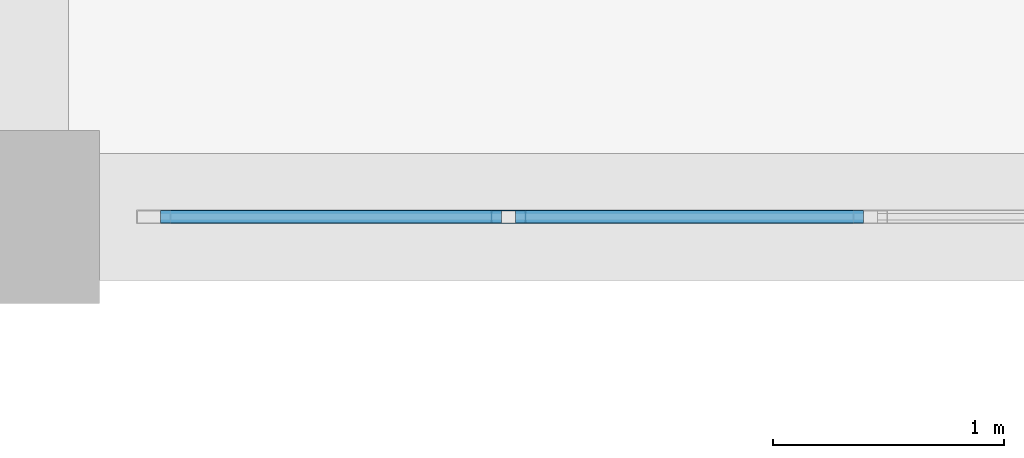
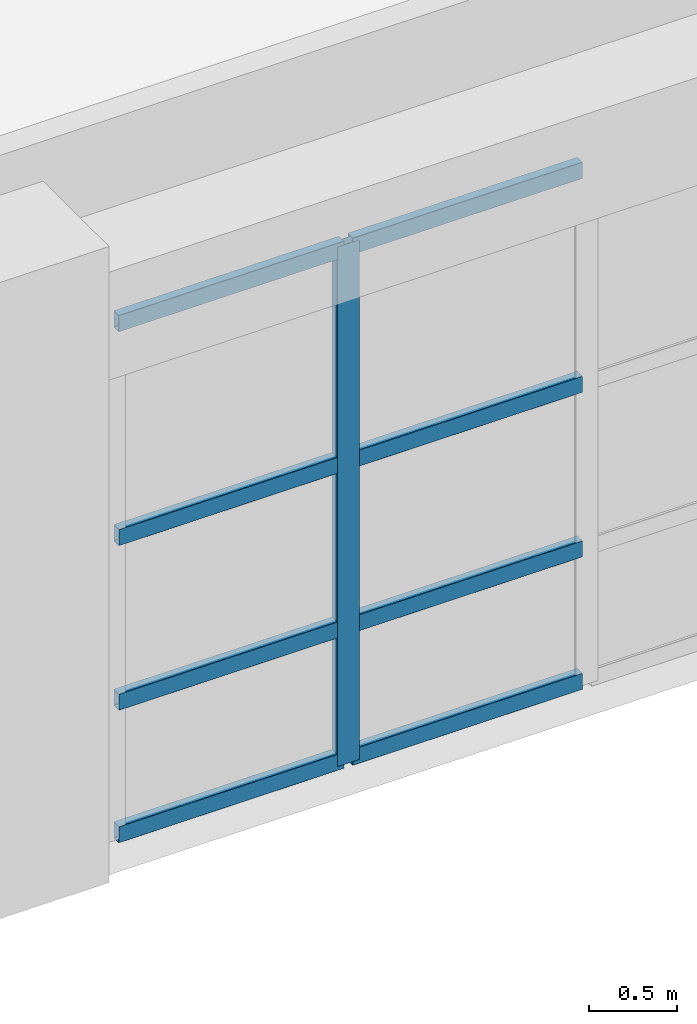
# One storey, part 68 of 133: 9 members, 1 element without a shape of its own.
"""IFC4 building model written with IfcOpenShell, lengths in metres."""

from ifc_helpers import new_model, si_unit, direction, frame, origin, origin_2d, place, context, subcontext, project, spatial, hollow_rectangle, extrude, material, material_profile, profile_set, type_object, element, aggregate, save


model = new_model("IFC4")

# Units and contexts
model_context = context("Model", 3, precision=1e-05, world=origin(), true_north=direction((0.0, 1.0)))
body_context = subcontext(model_context, "Body", "Model", "MODEL_VIEW")
ifc_project = project(units=[si_unit("LENGTHUNIT", "METRE"), si_unit("AREAUNIT", "SQUARE_METRE"), si_unit("VOLUMEUNIT", "CUBIC_METRE"), si_unit("PLANEANGLEUNIT", "RADIAN"), si_unit("MASSUNIT", "GRAM", prefix="KILO")], contexts=[model_context])

# Site, building, storey
site_placement = place(None, origin())
site = spatial("IfcSite", under=ifc_project, at=site_placement, CompositionType="ELEMENT")
building_placement = place(site_placement, origin())
building = spatial("IfcBuilding", under=site, at=building_placement, Name="Miravela Opera House", CompositionType="ELEMENT")
storey_placement = place(building_placement, frame((0.0, 0.0, 5.10009765625)))
storey = spatial("IfcBuildingStorey", under=building, at=storey_placement, Name="L01", CompositionType="ELEMENT", Elevation=5.10009765625)

# Curtain wall, members
ifc_material = material(Name="Anodised architectural bronze aluminium 6063-T6", Category="aluminium")
curtain_wall_type = type_object("IfcCurtainWallType", Name="ARC-CW-05", PredefinedType="NOTDEFINED", material=ifc_material)
curtain_wall_placement = place(storey_placement, origin())
curtain_wall = element("IfcCurtainWall", 1, at=curtain_wall_placement, inside=storey, type_object=curtain_wall_type, Name="Courtyard Arcade Curtain Wall CW-L01-082", PredefinedType="NOTDEFINED")
ifc_material_profile_1 = material_profile(ifc_material, hollow_rectangle(XDim=0.06005859375, YDim=0.14990234375, WallThickness=0.00390625, InnerFilletRadius=0.001953125, OuterFilletRadius=0.00390625, at=origin_2d()), Name="CWM-60X150")
ifc_profile_set_1 = profile_set([ifc_material_profile_1])
member_type_1 = type_object("IfcMemberType", Name="ARC-CWM-150", PredefinedType="MULLION", material=ifc_profile_set_1)
member_1_placement = place(storey_placement, frame((47.14794921875, 103.0, 0.0), z_axis=(0.0, 0.0, 1.0), x_axis=(0.0, 1.0, 0.0)))
member_1 = element("IfcMember", 2, at=member_1_placement, type_object=member_type_1, Name="CW-05 mullion 2", PredefinedType="MULLION", context=body_context, shape_type="SweptSolid", body=[
    extrude(hollow_rectangle(XDim=0.06005859375, YDim=0.14990234375, WallThickness=0.00390625, InnerFilletRadius=0.001953125, OuterFilletRadius=0.00390625, at=origin_2d()), origin(), (0.0, 0.0, 1.0), 3.60986328125),
])
ifc_material_profile_2 = material_profile(ifc_material, hollow_rectangle(XDim=0.06005859375, YDim=0.114990234375, WallThickness=0.00390625, InnerFilletRadius=0.001953125, OuterFilletRadius=0.00390625, at=origin_2d()), Name="CWT-60X115")
ifc_profile_set_2 = profile_set([ifc_material_profile_2])
member_type_2 = type_object("IfcMemberType", Name="ARC-CWT-115", PredefinedType="USERDEFINED", material=ifc_profile_set_2)
member_2_placement = place(storey_placement, frame((45.639892578125, 103.0, 0.02978515625), z_axis=(1.0, 0.0, 0.0), x_axis=(0.0, 1.0, 0.0)))
member_2 = element("IfcMember", 3, at=member_2_placement, type_object=member_type_2, Name="CW-05 transom 1.1", ObjectType="TRANSOM", PredefinedType="USERDEFINED", context=body_context, shape_type="SweptSolid", body=[
    extrude(hollow_rectangle(XDim=0.06005859375, YDim=0.114990234375, WallThickness=0.00390625, InnerFilletRadius=0.001953125, OuterFilletRadius=0.00390625, at=origin_2d()), origin(), (0.0, 0.0, 1.0), 1.47802734375),
])
member_3_placement = place(storey_placement, frame((45.639892578125, 103.0, 0.949951171875), z_axis=(1.0, 0.0, 0.0), x_axis=(0.0, 1.0, 0.0)))
member_3 = element("IfcMember", 4, at=member_3_placement, type_object=member_type_2, Name="CW-05 transom 1.2", ObjectType="TRANSOM", PredefinedType="USERDEFINED", context=body_context, shape_type="SweptSolid", body=[
    extrude(hollow_rectangle(XDim=0.06005859375, YDim=0.114990234375, WallThickness=0.00390625, InnerFilletRadius=0.001953125, OuterFilletRadius=0.00390625, at=origin_2d()), origin(), (0.0, 0.0, 1.0), 1.47802734375),
])
member_4_placement = place(storey_placement, frame((45.639892578125, 103.0, 2.09375), z_axis=(1.0, 0.0, 0.0), x_axis=(0.0, 1.0, 0.0)))
member_4 = element("IfcMember", 5, at=member_4_placement, type_object=member_type_2, Name="CW-05 transom 1.3", ObjectType="TRANSOM", PredefinedType="USERDEFINED", context=body_context, shape_type="SweptSolid", body=[
    extrude(hollow_rectangle(XDim=0.06005859375, YDim=0.114990234375, WallThickness=0.00390625, InnerFilletRadius=0.001953125, OuterFilletRadius=0.00390625, at=origin_2d()), origin(), (0.0, 0.0, 1.0), 1.47802734375),
])
member_5_placement = place(storey_placement, frame((45.639892578125, 103.0, 3.579833984375), z_axis=(1.0, 0.0, 0.0), x_axis=(0.0, 1.0, 0.0)))
member_5 = element("IfcMember", 6, at=member_5_placement, type_object=member_type_2, Name="CW-05 transom 1.4", ObjectType="TRANSOM", PredefinedType="USERDEFINED", context=body_context, shape_type="SweptSolid", body=[
    extrude(hollow_rectangle(XDim=0.06005859375, YDim=0.114990234375, WallThickness=0.00390625, InnerFilletRadius=0.001953125, OuterFilletRadius=0.00390625, at=origin_2d()), origin(), (0.0, 0.0, 1.0), 1.47802734375),
])
member_6_placement = place(storey_placement, frame((47.177978515625, 103.0, 0.02978515625), z_axis=(1.0, 0.0, 0.0), x_axis=(0.0, 1.0, 0.0)))
member_6 = element("IfcMember", 7, at=member_6_placement, type_object=member_type_2, Name="CW-05 transom 2.1", ObjectType="TRANSOM", PredefinedType="USERDEFINED", context=body_context, shape_type="SweptSolid", body=[
    extrude(hollow_rectangle(XDim=0.06005859375, YDim=0.114990234375, WallThickness=0.00390625, InnerFilletRadius=0.001953125, OuterFilletRadius=0.00390625, at=origin_2d()), origin(), (0.0, 0.0, 1.0), 1.508056640625),
])
member_7_placement = place(storey_placement, frame((47.177978515625, 103.0, 0.949951171875), z_axis=(1.0, 0.0, 0.0), x_axis=(0.0, 1.0, 0.0)))
member_7 = element("IfcMember", 8, at=member_7_placement, type_object=member_type_2, Name="CW-05 transom 2.2", ObjectType="TRANSOM", PredefinedType="USERDEFINED", context=body_context, shape_type="SweptSolid", body=[
    extrude(hollow_rectangle(XDim=0.06005859375, YDim=0.114990234375, WallThickness=0.00390625, InnerFilletRadius=0.001953125, OuterFilletRadius=0.00390625, at=origin_2d()), origin(), (0.0, 0.0, 1.0), 1.508056640625),
])
member_8_placement = place(storey_placement, frame((47.177978515625, 103.0, 2.09375), z_axis=(1.0, 0.0, 0.0), x_axis=(0.0, 1.0, 0.0)))
member_8 = element("IfcMember", 9, at=member_8_placement, type_object=member_type_2, Name="CW-05 transom 2.3", ObjectType="TRANSOM", PredefinedType="USERDEFINED", context=body_context, shape_type="SweptSolid", body=[
    extrude(hollow_rectangle(XDim=0.06005859375, YDim=0.114990234375, WallThickness=0.00390625, InnerFilletRadius=0.001953125, OuterFilletRadius=0.00390625, at=origin_2d()), origin(), (0.0, 0.0, 1.0), 1.508056640625),
])
member_9_placement = place(storey_placement, frame((47.177978515625, 103.0, 3.579833984375), z_axis=(1.0, 0.0, 0.0), x_axis=(0.0, 1.0, 0.0)))
member_9 = element("IfcMember", 10, at=member_9_placement, type_object=member_type_2, Name="CW-05 transom 2.4", ObjectType="TRANSOM", PredefinedType="USERDEFINED", context=body_context, shape_type="SweptSolid", body=[
    extrude(hollow_rectangle(XDim=0.06005859375, YDim=0.114990234375, WallThickness=0.00390625, InnerFilletRadius=0.001953125, OuterFilletRadius=0.00390625, at=origin_2d()), origin(), (0.0, 0.0, 1.0), 1.508056640625),
])
aggregate(curtain_wall, [member_1, member_2, member_3, member_4, member_5, member_6, member_7, member_8, member_9])

save(model, "model.ifc")
